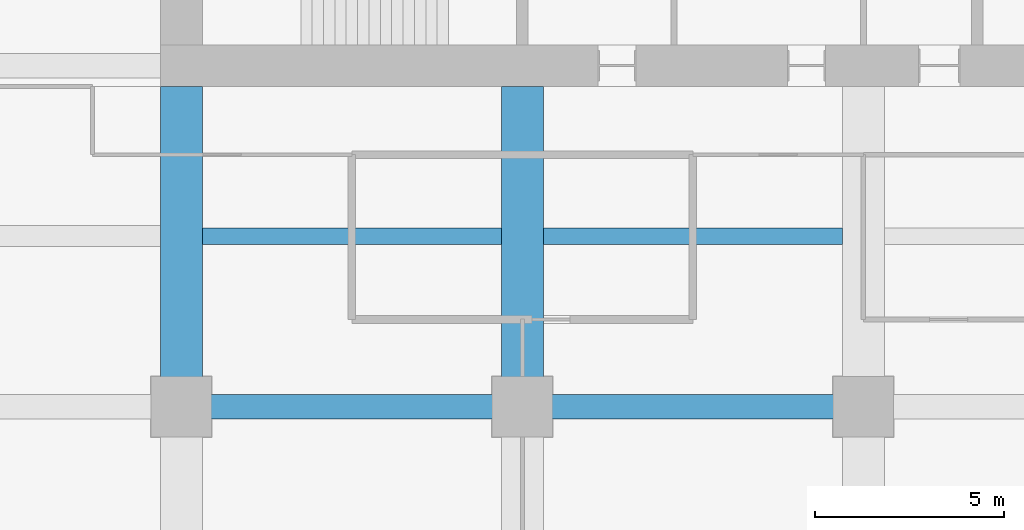
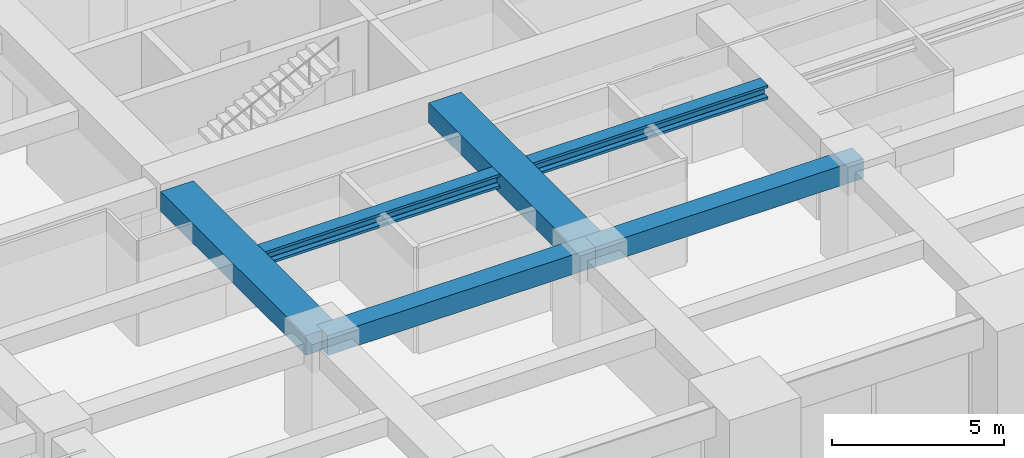
# One storey, part 8 of 32: 6 beams.
"""IFC4 building model written with IfcOpenShell, lengths in metres."""

from ifc_helpers import new_model, si_unit, direction, frame, origin, origin_2d, place, context, subcontext, project, spatial, rectangle, i_section, extrude, material, material_profile, profile_set, type_object, element, save


model = new_model("IFC4")

# Units and contexts
model_context = context("Model", 3, precision=1e-05, world=origin(), true_north=direction((0.0, 1.0)))
body_context = subcontext(model_context, "Body", "Model", "MODEL_VIEW")
ifc_project = project(units=[si_unit("LENGTHUNIT", "METRE"), si_unit("AREAUNIT", "SQUARE_METRE"), si_unit("VOLUMEUNIT", "CUBIC_METRE"), si_unit("PLANEANGLEUNIT", "RADIAN"), si_unit("MASSUNIT", "GRAM", prefix="KILO")], contexts=[model_context])

# Site, building, storey
site_placement = place(None, origin())
site = spatial("IfcSite", under=ifc_project, at=site_placement, CompositionType="ELEMENT")
building_placement = place(site_placement, origin())
building = spatial("IfcBuilding", under=site, at=building_placement, Name="Zorevar Civic Tower", CompositionType="ELEMENT")
storey_placement = place(building_placement, frame((0.0, 0.0, 190.199951171875)))
storey = spatial("IfcBuildingStorey", under=building, at=storey_placement, Name="L46", CompositionType="ELEMENT", Elevation=190.199951171875)

# Beams
ifc_material_1 = material(Name="Concrete C50/60", Category="concrete")
ifc_material_profile_1 = material_profile(ifc_material_1, rectangle(XDim=1.10009765625, YDim=0.699951171875, at=origin_2d()), Name="RC 1100x700")
ifc_profile_set_1 = profile_set([ifc_material_profile_1], Name="Concrete C50/60")
beam_type_1 = type_object("IfcBeamType", Name="Beam RC 1100x700", PredefinedType="BEAM", material=ifc_profile_set_1)
for number, where, z_axis, x_axis, name in (
    (1, (18.0, 9.0, 3.400146484375), (0.0, 1.0, 0.0), (-1.0, 0.0, 0.0), "Girder L47"),
    (2, (27.0, 9.0, 3.400146484375), (0.0, 1.0, 0.0), (-1.0, 0.0, 0.0), "Girder L47"),
):
    element("IfcBeam", number, at=place(storey_placement, frame(where, z_axis=z_axis, x_axis=x_axis)), inside=storey, type_object=beam_type_1, Name=name, PredefinedType="BEAM", context=body_context, shape_type="SweptSolid", body=[
        extrude(rectangle(XDim=1.10009765625, YDim=0.699951171875, at=origin_2d()), origin(), (0.0, 0.0, 1.0), 8.449951171875),
    ])
ifc_material_2 = material(Name="Concrete C50/60", Category="concrete")
ifc_material_profile_2 = material_profile(ifc_material_2, rectangle(XDim=0.64990234375, YDim=0.699951171875, at=origin_2d()), Name="RC 650x700")
ifc_profile_set_2 = profile_set([ifc_material_profile_2], Name="Concrete C50/60")
beam_type_2 = type_object("IfcBeamType", Name="Beam RC 650x700", PredefinedType="BEAM", material=ifc_profile_set_2)
for number, where, z_axis, x_axis, name in (
    (3, (18.0, 9.0, 3.400146484375), (1.0, 0.0, 0.0), (0.0, 1.0, 0.0), "Girder L47"),
    (4, (27.0, 9.0, 3.400146484375), (1.0, 0.0, 0.0), (0.0, 1.0, 0.0), "Girder L47"),
):
    element("IfcBeam", number, at=place(storey_placement, frame(where, z_axis=z_axis, x_axis=x_axis)), inside=storey, type_object=beam_type_2, Name=name, PredefinedType="BEAM", context=body_context, shape_type="SweptSolid", body=[
        extrude(rectangle(XDim=0.64990234375, YDim=0.699951171875, at=origin_2d()), origin(), (0.0, 0.0, 1.0), 9.0),
    ])
ifc_material_3 = material(Name="Steel S460M (HISTAR 460)", Category="steel")
ifc_material_profile_3 = material_profile(ifc_material_3, i_section(OverallWidth=0.431884765625, OverallDepth=0.498046875, WebThickness=0.0556640625, FlangeThickness=0.0888671875, FilletRadius=0.014892578125, at=origin_2d()), Name="HD 400x744")
ifc_profile_set_3 = profile_set([ifc_material_profile_3], Name="Steel S460M (HISTAR 460)")
beam_type_3 = type_object("IfcBeamType", Name="Core bay beam HD 400x744", PredefinedType="BEAM", material=ifc_profile_set_3)
for number, where, z_axis, x_axis, name in (
    (5, (18.550048828125, 13.5, 3.5009765625), (1.0, 0.0, 0.0), (0.0, 1.0, 0.0), "Secondary beam L47"),
    (6, (27.550048828125, 13.5, 3.5009765625), (1.0, 0.0, 0.0), (0.0, 1.0, 0.0), "Secondary beam L47"),
):
    element("IfcBeam", number, at=place(storey_placement, frame(where, z_axis=z_axis, x_axis=x_axis)), inside=storey, type_object=beam_type_3, Name=name, PredefinedType="BEAM", context=body_context, shape_type="SweptSolid", body=[
        extrude(i_section(OverallWidth=0.431884765625, OverallDepth=0.498046875, WebThickness=0.0556640625, FlangeThickness=0.0888671875, FilletRadius=0.014892578125, at=origin_2d()), origin(), (0.0, 0.0, 1.0), 7.89990234375),
    ])

save(model, "model.ifc")
